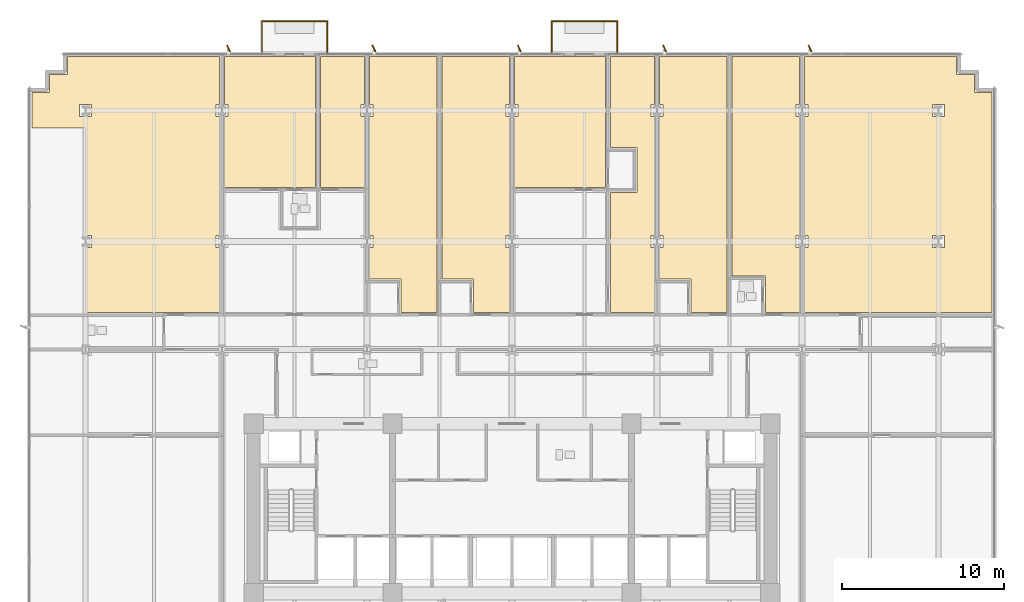
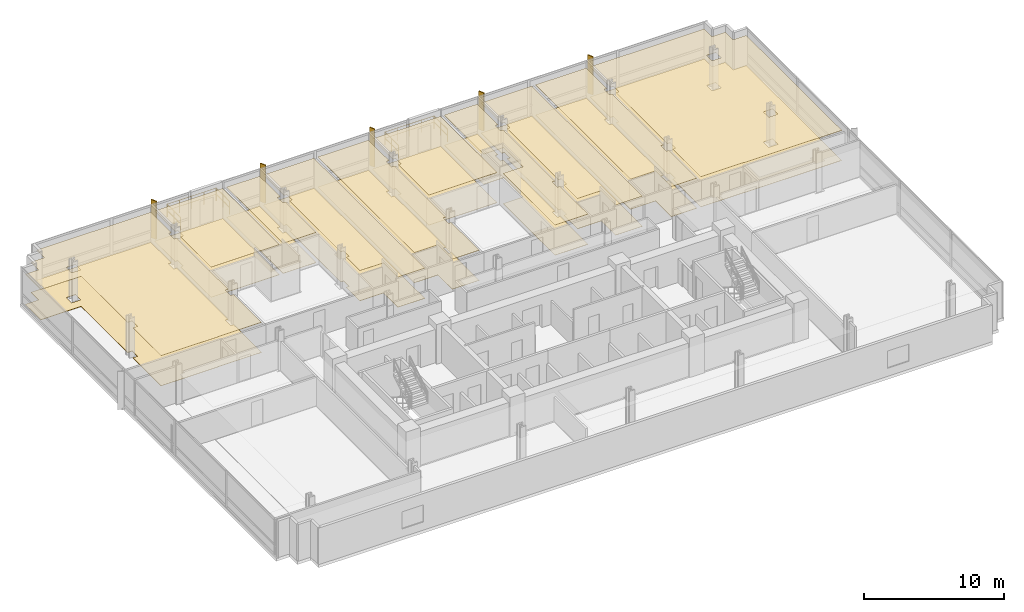
# One storey, part 14 of 15: 20 coverings, 6 railings, 5 shading devices.
"""IFC4 building model written with IfcOpenShell, lengths in metres."""

from ifc_helpers import new_model, si_unit, direction, frame, origin, origin_2d, place, context, subcontext, project, spatial, polyline, rectangle, circle, outline, extrude, material, layer, layer_set, type_object, element, save


model = new_model("IFC4")

# Units and contexts
model_context = context("Model", 3, precision=1e-05, world=origin(), true_north=direction((0.0, 1.0)))
body_context = subcontext(model_context, "Body", "Model", "MODEL_VIEW")
ifc_project = project(units=[si_unit("LENGTHUNIT", "METRE"), si_unit("AREAUNIT", "SQUARE_METRE"), si_unit("VOLUMEUNIT", "CUBIC_METRE"), si_unit("PLANEANGLEUNIT", "RADIAN"), si_unit("MASSUNIT", "GRAM", prefix="KILO")], contexts=[model_context])

# Site, building, storey
site_placement = place(None, origin())
site = spatial("IfcSite", under=ifc_project, at=site_placement, CompositionType="ELEMENT")
building_placement = place(site_placement, origin())
building = spatial("IfcBuilding", under=site, at=building_placement, Name="Solmavex Isthmus Hotel", CompositionType="ELEMENT")
storey_placement = place(building_placement, frame((0.0, 0.0, 64.35009765625)))
storey = spatial("IfcBuildingStorey", under=building, at=storey_placement, Name="L17", CompositionType="ELEMENT", Elevation=64.35009765625)

# Coverings
ifc_material_1 = material(Name="Gypsum plasterboard lining", Category="gypsum")
ifc_layer_1 = layer(ifc_material_1, 0.030029296875)
ifc_layer_set_1 = layer_set([ifc_layer_1], Name="Gypsum plasterboard lining")
covering_type_1 = type_object("IfcCoveringType", Name="COV-CEIL-GYP", PredefinedType="CEILING", material=ifc_layer_set_1)
covering_1_placement = place(storey_placement, frame((0.0, 0.0, 2.619873046875)))
element("IfcCovering", 1, at=covering_1_placement, inside=storey, type_object=covering_type_1, Name="Suspended Acoustic Ceiling L17-RM01", PredefinedType="CEILING", context=body_context, shape_type="SweptSolid", body=[
    extrude(outline(polyline([(-21.70703125, 4.385009765625), (-21.70703125, 4.405029296875), (-18.10693359375, 4.405029296875), (-18.10693359375, 8.407958984375), (-18.33203125, 8.407958984375), (-18.33203125, 9.16796875), (-18.10693359375, 9.16796875), (-18.10693359375, 16.52001953125), (-18.33203125, 16.52001953125), (-18.33203125, 17.280029296875), (-18.10693359375, 17.280029296875), (-18.10693359375, 20.22509765625), (-27.52490234375, 20.22509765625), (-27.52490234375, 19.125), (-28.625, 19.125), (-28.625, 18.02490234375), (-29.72509765625, 18.02490234375), (-29.72509765625, 15.800048828125), (-26.39990234375, 15.800048828125), (-26.39990234375, 9.16796875), (-26.02001953125, 9.16796875), (-26.02001953125, 8.407958984375), (-26.39990234375, 8.407958984375), (-26.39990234375, 4.385009765625), (-21.70703125, 4.385009765625)]), holes=[polyline([(-26.780029296875, 17.280029296875), (-26.02001953125, 17.280029296875), (-26.02001953125, 16.52001953125), (-26.780029296875, 16.52001953125), (-26.780029296875, 17.280029296875)])]), origin(), (0.0, 0.0, 1.0), 0.030029296875),
])
covering_2_placement = place(storey_placement, frame((0.0, 0.0, 2.619873046875)))
element("IfcCovering", 2, at=covering_2_placement, inside=storey, type_object=covering_type_1, Name="Suspended Acoustic Ceiling L17-TB02", PredefinedType="CEILING", context=body_context, shape_type="SweptSolid", body=[
    extrude(outline(polyline([(-17.797119140625, 17.280029296875), (-17.572021484375, 17.280029296875), (-17.572021484375, 16.52001953125), (-17.797119140625, 16.52001953125), (-17.797119140625, 12.14306640625), (-12.1689453125, 12.14306640625), (-12.1689453125, 20.22509765625), (-17.797119140625, 20.22509765625), (-17.797119140625, 17.280029296875)])), origin(), (0.0, 0.0, 1.0), 0.030029296875),
])
covering_3_placement = place(storey_placement, frame((0.0, 0.0, 2.619873046875)))
element("IfcCovering", 3, at=covering_3_placement, inside=storey, type_object=covering_type_1, Name="Suspended Acoustic Ceiling L17-TL02", PredefinedType="CEILING", context=body_context, shape_type="SweptSolid", body=[
    extrude(outline(polyline([(-9.131103515625, 16.52001953125), (-9.35595703125, 16.52001953125), (-9.35595703125, 17.280029296875), (-9.131103515625, 17.280029296875), (-9.131103515625, 20.22509765625), (-11.85888671875, 20.22509765625), (-11.85888671875, 12.14306640625), (-9.131103515625, 12.14306640625), (-9.131103515625, 16.52001953125)])), origin(), (0.0, 0.0, 1.0), 0.030029296875),
])
covering_4_placement = place(storey_placement, frame((0.0, 0.0, 2.619873046875)))
element("IfcCovering", 4, at=covering_4_placement, inside=storey, type_object=covering_type_1, Name="Suspended Acoustic Ceiling L17-RM03", PredefinedType="CEILING", context=body_context, shape_type="SweptSolid", body=[
    extrude(outline(polyline([(-8.821044921875, 9.16796875), (-8.595947265625, 9.16796875), (-8.595947265625, 8.407958984375), (-8.821044921875, 8.407958984375), (-8.821044921875, 6.455078125), (-6.87109375, 6.455078125), (-6.87109375, 4.405029296875), (-4.64306640625, 4.405029296875), (-4.64306640625, 20.22509765625), (-8.821044921875, 20.22509765625), (-8.821044921875, 17.280029296875), (-8.595947265625, 17.280029296875), (-8.595947265625, 16.52001953125), (-8.821044921875, 16.52001953125), (-8.821044921875, 9.16796875)])), origin(), (0.0, 0.0, 1.0), 0.030029296875),
])
covering_5_placement = place(storey_placement, frame((0.0, 0.0, 2.619873046875)))
element("IfcCovering", 5, at=covering_5_placement, inside=storey, type_object=covering_type_1, Name="Suspended Acoustic Ceiling L17-RM04", PredefinedType="CEILING", context=body_context, shape_type="SweptSolid", body=[
    extrude(outline(polyline([(-0.155029296875, 16.52001953125), (-0.3798828125, 16.52001953125), (-0.3798828125, 17.280029296875), (-0.155029296875, 17.280029296875), (-0.155029296875, 20.22509765625), (-4.3330078125, 20.22509765625), (-4.3330078125, 6.455078125), (-2.383056640625, 6.455078125), (-2.383056640625, 4.405029296875), (-0.155029296875, 4.405029296875), (-0.155029296875, 8.407958984375), (-0.3798828125, 8.407958984375), (-0.3798828125, 9.16796875), (-0.155029296875, 9.16796875), (-0.155029296875, 16.52001953125)])), origin(), (0.0, 0.0, 1.0), 0.030029296875),
])
covering_6_placement = place(storey_placement, frame((0.0, 0.0, 2.619873046875)))
element("IfcCovering", 6, at=covering_6_placement, inside=storey, type_object=covering_type_1, Name="Suspended Acoustic Ceiling L17-SL05-BD", PredefinedType="CEILING", context=body_context, shape_type="SweptSolid", body=[
    extrude(outline(polyline([(0.155029296875, 17.280029296875), (0.3798828125, 17.280029296875), (0.3798828125, 16.52001953125), (0.155029296875, 16.52001953125), (0.155029296875, 12.14306640625), (5.782958984375, 12.14306640625), (5.782958984375, 20.22509765625), (0.155029296875, 20.22509765625), (0.155029296875, 17.280029296875)])), origin(), (0.0, 0.0, 1.0), 0.030029296875),
])
covering_7_placement = place(storey_placement, frame((0.0, 0.0, 2.619873046875)))
element("IfcCovering", 7, at=covering_7_placement, inside=storey, type_object=covering_type_1, Name="Suspended Acoustic Ceiling L17-SV05", PredefinedType="CEILING", context=body_context, shape_type="SweptSolid", body=[
    extrude(outline(polyline([(8.821044921875, 16.52001953125), (8.595947265625, 16.52001953125), (8.595947265625, 17.280029296875), (8.821044921875, 17.280029296875), (8.821044921875, 20.22509765625), (6.093017578125, 20.22509765625), (6.093017578125, 14.593017578125), (7.73095703125, 14.593017578125), (7.73095703125, 11.8330078125), (6.093017578125, 11.8330078125), (6.093017578125, 4.405029296875), (8.821044921875, 4.405029296875), (8.821044921875, 8.407958984375), (8.595947265625, 8.407958984375), (8.595947265625, 9.16796875), (8.821044921875, 9.16796875), (8.821044921875, 16.52001953125)])), origin(), (0.0, 0.0, 1.0), 0.030029296875),
])
covering_8_placement = place(storey_placement, frame((0.0, 0.0, 2.619873046875)))
element("IfcCovering", 8, at=covering_8_placement, inside=storey, type_object=covering_type_1, Name="Suspended Acoustic Ceiling L17-RM06", PredefinedType="CEILING", context=body_context, shape_type="SweptSolid", body=[
    extrude(outline(polyline([(9.131103515625, 9.16796875), (9.35595703125, 9.16796875), (9.35595703125, 8.407958984375), (9.131103515625, 8.407958984375), (9.131103515625, 6.455078125), (11.0810546875, 6.455078125), (11.0810546875, 4.405029296875), (13.30908203125, 4.405029296875), (13.30908203125, 20.22509765625), (9.131103515625, 20.22509765625), (9.131103515625, 17.280029296875), (9.35595703125, 17.280029296875), (9.35595703125, 16.52001953125), (9.131103515625, 16.52001953125), (9.131103515625, 9.16796875)])), origin(), (0.0, 0.0, 1.0), 0.030029296875),
])
covering_9_placement = place(storey_placement, frame((0.0, 0.0, 2.619873046875)))
element("IfcCovering", 9, at=covering_9_placement, inside=storey, type_object=covering_type_1, Name="Suspended Acoustic Ceiling L17-RM07", PredefinedType="CEILING", context=body_context, shape_type="SweptSolid", body=[
    extrude(outline(polyline([(17.797119140625, 16.52001953125), (17.572021484375, 16.52001953125), (17.572021484375, 17.280029296875), (17.797119140625, 17.280029296875), (17.797119140625, 20.22509765625), (13.618896484375, 20.22509765625), (13.618896484375, 6.655029296875), (15.68359375, 6.655029296875), (15.68359375, 4.405029296875), (17.797119140625, 4.405029296875), (17.797119140625, 8.407958984375), (17.572021484375, 8.407958984375), (17.572021484375, 9.16796875), (17.797119140625, 9.16796875), (17.797119140625, 16.52001953125)])), origin(), (0.0, 0.0, 1.0), 0.030029296875),
])
covering_10_placement = place(storey_placement, frame((0.0, 0.0, 2.619873046875)))
element("IfcCovering", 10, at=covering_10_placement, inside=storey, type_object=covering_type_1, Name="Suspended Acoustic Ceiling L17-RM08", PredefinedType="CEILING", context=body_context, shape_type="SweptSolid", body=[
    extrude(outline(polyline([(18.10693359375, 9.16796875), (18.33203125, 9.16796875), (18.33203125, 8.407958984375), (18.10693359375, 8.407958984375), (18.10693359375, 4.405029296875), (21.70703125, 4.405029296875), (21.70703125, 4.385009765625), (29.72509765625, 4.385009765625), (29.72509765625, 18.02490234375), (28.625, 18.02490234375), (28.625, 19.125), (27.52490234375, 19.125), (27.52490234375, 20.22509765625), (18.10693359375, 20.22509765625), (18.10693359375, 17.280029296875), (18.33203125, 17.280029296875), (18.33203125, 16.52001953125), (18.10693359375, 16.52001953125), (18.10693359375, 9.16796875)]), holes=[polyline([(26.02001953125, 8.407958984375), (26.02001953125, 9.16796875), (26.780029296875, 9.16796875), (26.780029296875, 8.407958984375), (26.02001953125, 8.407958984375)]), polyline([(26.02001953125, 16.52001953125), (26.02001953125, 17.280029296875), (26.780029296875, 17.280029296875), (26.780029296875, 16.52001953125), (26.02001953125, 16.52001953125)])]), origin(), (0.0, 0.0, 1.0), 0.030029296875),
])
ifc_material_2 = material(Name="Travertine natural stone", Category="masonry")
ifc_layer_2 = layer(ifc_material_2, 0.02490234375)
ifc_layer_set_2 = layer_set([ifc_layer_2], Name="Travertine natural stone")
covering_type_2 = type_object("IfcCoveringType", Name="COV-FLOR-STN", PredefinedType="FLOORING", material=ifc_layer_set_2)
covering_11_placement = place(storey_placement, origin())
element("IfcCovering", 11, at=covering_11_placement, inside=storey, type_object=covering_type_2, Name="Stone and Timber Floor Finish L17-RM01", PredefinedType="FLOORING", context=body_context, shape_type="SweptSolid", body=[
    extrude(outline(polyline([(-21.70703125, 4.385009765625), (-21.70703125, 4.405029296875), (-18.10693359375, 4.405029296875), (-18.10693359375, 8.407958984375), (-18.33203125, 8.407958984375), (-18.33203125, 9.16796875), (-18.10693359375, 9.16796875), (-18.10693359375, 16.52001953125), (-18.33203125, 16.52001953125), (-18.33203125, 17.280029296875), (-18.10693359375, 17.280029296875), (-18.10693359375, 20.22509765625), (-27.52490234375, 20.22509765625), (-27.52490234375, 19.125), (-28.625, 19.125), (-28.625, 18.02490234375), (-29.72509765625, 18.02490234375), (-29.72509765625, 15.800048828125), (-26.39990234375, 15.800048828125), (-26.39990234375, 9.16796875), (-26.02001953125, 9.16796875), (-26.02001953125, 8.407958984375), (-26.39990234375, 8.407958984375), (-26.39990234375, 4.385009765625), (-21.70703125, 4.385009765625)]), holes=[polyline([(-26.780029296875, 17.280029296875), (-26.02001953125, 17.280029296875), (-26.02001953125, 16.52001953125), (-26.780029296875, 16.52001953125), (-26.780029296875, 17.280029296875)])]), origin(), (0.0, 0.0, 1.0), 0.02490234375),
])
covering_12_placement = place(storey_placement, origin())
element("IfcCovering", 12, at=covering_12_placement, inside=storey, type_object=covering_type_2, Name="Stone and Timber Floor Finish L17-TB02", PredefinedType="FLOORING", context=body_context, shape_type="SweptSolid", body=[
    extrude(outline(polyline([(-17.797119140625, 17.280029296875), (-17.572021484375, 17.280029296875), (-17.572021484375, 16.52001953125), (-17.797119140625, 16.52001953125), (-17.797119140625, 12.14306640625), (-12.1689453125, 12.14306640625), (-12.1689453125, 20.22509765625), (-17.797119140625, 20.22509765625), (-17.797119140625, 17.280029296875)])), origin(), (0.0, 0.0, 1.0), 0.02490234375),
])
covering_13_placement = place(storey_placement, origin())
element("IfcCovering", 13, at=covering_13_placement, inside=storey, type_object=covering_type_2, Name="Stone and Timber Floor Finish L17-TL02", PredefinedType="FLOORING", context=body_context, shape_type="SweptSolid", body=[
    extrude(outline(polyline([(-9.131103515625, 16.52001953125), (-9.35595703125, 16.52001953125), (-9.35595703125, 17.280029296875), (-9.131103515625, 17.280029296875), (-9.131103515625, 20.22509765625), (-11.85888671875, 20.22509765625), (-11.85888671875, 12.14306640625), (-9.131103515625, 12.14306640625), (-9.131103515625, 16.52001953125)])), origin(), (0.0, 0.0, 1.0), 0.02490234375),
])
covering_14_placement = place(storey_placement, origin())
element("IfcCovering", 14, at=covering_14_placement, inside=storey, type_object=covering_type_2, Name="Stone and Timber Floor Finish L17-RM03", PredefinedType="FLOORING", context=body_context, shape_type="SweptSolid", body=[
    extrude(outline(polyline([(-8.821044921875, 9.16796875), (-8.595947265625, 9.16796875), (-8.595947265625, 8.407958984375), (-8.821044921875, 8.407958984375), (-8.821044921875, 6.455078125), (-6.87109375, 6.455078125), (-6.87109375, 4.405029296875), (-4.64306640625, 4.405029296875), (-4.64306640625, 20.22509765625), (-8.821044921875, 20.22509765625), (-8.821044921875, 17.280029296875), (-8.595947265625, 17.280029296875), (-8.595947265625, 16.52001953125), (-8.821044921875, 16.52001953125), (-8.821044921875, 9.16796875)])), origin(), (0.0, 0.0, 1.0), 0.02490234375),
])
covering_15_placement = place(storey_placement, origin())
element("IfcCovering", 15, at=covering_15_placement, inside=storey, type_object=covering_type_2, Name="Stone and Timber Floor Finish L17-RM04", PredefinedType="FLOORING", context=body_context, shape_type="SweptSolid", body=[
    extrude(outline(polyline([(-0.155029296875, 16.52001953125), (-0.3798828125, 16.52001953125), (-0.3798828125, 17.280029296875), (-0.155029296875, 17.280029296875), (-0.155029296875, 20.22509765625), (-4.3330078125, 20.22509765625), (-4.3330078125, 6.455078125), (-2.383056640625, 6.455078125), (-2.383056640625, 4.405029296875), (-0.155029296875, 4.405029296875), (-0.155029296875, 8.407958984375), (-0.3798828125, 8.407958984375), (-0.3798828125, 9.16796875), (-0.155029296875, 9.16796875), (-0.155029296875, 16.52001953125)])), origin(), (0.0, 0.0, 1.0), 0.02490234375),
])
covering_16_placement = place(storey_placement, origin())
element("IfcCovering", 16, at=covering_16_placement, inside=storey, type_object=covering_type_2, Name="Stone and Timber Floor Finish L17-SL05-BD", PredefinedType="FLOORING", context=body_context, shape_type="SweptSolid", body=[
    extrude(outline(polyline([(0.155029296875, 17.280029296875), (0.3798828125, 17.280029296875), (0.3798828125, 16.52001953125), (0.155029296875, 16.52001953125), (0.155029296875, 12.14306640625), (5.782958984375, 12.14306640625), (5.782958984375, 20.22509765625), (0.155029296875, 20.22509765625), (0.155029296875, 17.280029296875)])), origin(), (0.0, 0.0, 1.0), 0.02490234375),
])
covering_17_placement = place(storey_placement, origin())
element("IfcCovering", 17, at=covering_17_placement, inside=storey, type_object=covering_type_2, Name="Stone and Timber Floor Finish L17-SV05", PredefinedType="FLOORING", context=body_context, shape_type="SweptSolid", body=[
    extrude(outline(polyline([(8.821044921875, 16.52001953125), (8.595947265625, 16.52001953125), (8.595947265625, 17.280029296875), (8.821044921875, 17.280029296875), (8.821044921875, 20.22509765625), (6.093017578125, 20.22509765625), (6.093017578125, 14.593017578125), (7.73095703125, 14.593017578125), (7.73095703125, 11.8330078125), (6.093017578125, 11.8330078125), (6.093017578125, 4.405029296875), (8.821044921875, 4.405029296875), (8.821044921875, 8.407958984375), (8.595947265625, 8.407958984375), (8.595947265625, 9.16796875), (8.821044921875, 9.16796875), (8.821044921875, 16.52001953125)])), origin(), (0.0, 0.0, 1.0), 0.02490234375),
])
covering_18_placement = place(storey_placement, origin())
element("IfcCovering", 18, at=covering_18_placement, inside=storey, type_object=covering_type_2, Name="Stone and Timber Floor Finish L17-RM06", PredefinedType="FLOORING", context=body_context, shape_type="SweptSolid", body=[
    extrude(outline(polyline([(9.131103515625, 9.16796875), (9.35595703125, 9.16796875), (9.35595703125, 8.407958984375), (9.131103515625, 8.407958984375), (9.131103515625, 6.455078125), (11.0810546875, 6.455078125), (11.0810546875, 4.405029296875), (13.30908203125, 4.405029296875), (13.30908203125, 20.22509765625), (9.131103515625, 20.22509765625), (9.131103515625, 17.280029296875), (9.35595703125, 17.280029296875), (9.35595703125, 16.52001953125), (9.131103515625, 16.52001953125), (9.131103515625, 9.16796875)])), origin(), (0.0, 0.0, 1.0), 0.02490234375),
])
covering_19_placement = place(storey_placement, origin())
element("IfcCovering", 19, at=covering_19_placement, inside=storey, type_object=covering_type_2, Name="Stone and Timber Floor Finish L17-RM07", PredefinedType="FLOORING", context=body_context, shape_type="SweptSolid", body=[
    extrude(outline(polyline([(17.797119140625, 16.52001953125), (17.572021484375, 16.52001953125), (17.572021484375, 17.280029296875), (17.797119140625, 17.280029296875), (17.797119140625, 20.22509765625), (13.618896484375, 20.22509765625), (13.618896484375, 6.655029296875), (15.68359375, 6.655029296875), (15.68359375, 4.405029296875), (17.797119140625, 4.405029296875), (17.797119140625, 8.407958984375), (17.572021484375, 8.407958984375), (17.572021484375, 9.16796875), (17.797119140625, 9.16796875), (17.797119140625, 16.52001953125)])), origin(), (0.0, 0.0, 1.0), 0.02490234375),
])
covering_20_placement = place(storey_placement, origin())
element("IfcCovering", 20, at=covering_20_placement, inside=storey, type_object=covering_type_2, Name="Stone and Timber Floor Finish L17-RM08", PredefinedType="FLOORING", context=body_context, shape_type="SweptSolid", body=[
    extrude(outline(polyline([(18.10693359375, 9.16796875), (18.33203125, 9.16796875), (18.33203125, 8.407958984375), (18.10693359375, 8.407958984375), (18.10693359375, 4.405029296875), (21.70703125, 4.405029296875), (21.70703125, 4.385009765625), (29.72509765625, 4.385009765625), (29.72509765625, 18.02490234375), (28.625, 18.02490234375), (28.625, 19.125), (27.52490234375, 19.125), (27.52490234375, 20.22509765625), (18.10693359375, 20.22509765625), (18.10693359375, 17.280029296875), (18.33203125, 17.280029296875), (18.33203125, 16.52001953125), (18.10693359375, 16.52001953125), (18.10693359375, 9.16796875)]), holes=[polyline([(26.02001953125, 8.407958984375), (26.02001953125, 9.16796875), (26.780029296875, 9.16796875), (26.780029296875, 8.407958984375), (26.02001953125, 8.407958984375)]), polyline([(26.02001953125, 16.52001953125), (26.02001953125, 17.280029296875), (26.780029296875, 17.280029296875), (26.780029296875, 16.52001953125), (26.02001953125, 16.52001953125)])]), origin(), (0.0, 0.0, 1.0), 0.02490234375),
])

# Railings
ifc_material_3 = material(Name="Clear low-E laminated glass", Category="glass")
ifc_layer_3 = layer(ifc_material_3, 0.070068359375)
ifc_layer_set_3 = layer_set([ifc_layer_3], Name="Clear low-E laminated glass")
railing_type = type_object("IfcRailingType", Name="RAIL-GUARD-1100", PredefinedType="BALUSTRADE", material=ifc_layer_set_3)
railing_1_placement = place(storey_placement, frame((-15.48388671875, 20.5, 0.0)))
element("IfcRailing", 21, at=railing_1_placement, inside=storey, type_object=railing_type, Name="Guardrail Balustrade L17-BAL1-01", PredefinedType="BALUSTRADE", context=body_context, shape_type="SweptSolid", body=[
    extrude(circle(Radius=0.02392578125, at=origin_2d()), frame((0.0, 0.0, 1.09619140625), z_axis=(0.0, 1.0, 0.0), x_axis=(-1.0, 0.0, 0.0)), (0.0, 0.0, 1.0), 1.919921875),
    extrude(circle(Radius=0.02392578125, at=origin_2d()), frame((0.0, 0.0, 0.56005859375), z_axis=(0.0, 1.0, 0.0), x_axis=(-1.0, 0.0, 0.0)), (0.0, 0.0, 1.0), 1.919921875),
    extrude(circle(Radius=0.02099609375, at=origin_2d()), origin(), (0.0, 0.0, 1.0), 1.072021484375),
    extrude(circle(Radius=0.02099609375, at=origin_2d()), frame((0.0, 0.9599609375, 0.0)), (0.0, 0.0, 1.0), 1.072021484375),
    extrude(circle(Radius=0.02099609375, at=origin_2d()), frame((0.0, 1.919921875, 0.0)), (0.0, 0.0, 1.0), 1.072021484375),
])
railing_2_placement = place(storey_placement, frame((-15.48388671875, 22.419921875, 0.0)))
element("IfcRailing", 22, at=railing_2_placement, inside=storey, type_object=railing_type, Name="Guardrail Balustrade L17-BAL1-02", PredefinedType="BALUSTRADE", context=body_context, shape_type="SweptSolid", body=[
    extrude(circle(Radius=0.02392578125, at=origin_2d()), frame((0.0, 0.0, 1.09619140625), z_axis=(1.0, 0.0, 0.0), x_axis=(0.0, 1.0, 0.0)), (0.0, 0.0, 1.0), 4.039794921875),
    extrude(circle(Radius=0.02392578125, at=origin_2d()), frame((0.0, 0.0, 0.56005859375), z_axis=(1.0, 0.0, 0.0), x_axis=(0.0, 1.0, 0.0)), (0.0, 0.0, 1.0), 4.039794921875),
    extrude(circle(Radius=0.02099609375, at=origin_2d()), origin(), (0.0, 0.0, 1.0), 1.072021484375),
    extrude(circle(Radius=0.02099609375, at=origin_2d()), frame((1.010009765625, 0.0, 0.0)), (0.0, 0.0, 1.0), 1.072021484375),
    extrude(circle(Radius=0.02099609375, at=origin_2d()), frame((2.02001953125, 0.0, 0.0)), (0.0, 0.0, 1.0), 1.072021484375),
    extrude(circle(Radius=0.02099609375, at=origin_2d()), frame((3.02978515625, 0.0, 0.0)), (0.0, 0.0, 1.0), 1.072021484375),
    extrude(circle(Radius=0.02099609375, at=origin_2d()), frame((4.039794921875, 0.0, 0.0)), (0.0, 0.0, 1.0), 1.072021484375),
])
railing_3_placement = place(storey_placement, frame((-11.444091796875, 22.419921875, 0.0)))
element("IfcRailing", 23, at=railing_3_placement, inside=storey, type_object=railing_type, Name="Guardrail Balustrade L17-BAL1-03", PredefinedType="BALUSTRADE", context=body_context, shape_type="SweptSolid", body=[
    extrude(circle(Radius=0.02392578125, at=origin_2d()), frame((0.0, 0.0, 1.09619140625), z_axis=(0.0, -1.0, 0.0), x_axis=(1.0, 0.0, 0.0)), (0.0, 0.0, 1.0), 1.919921875),
    extrude(circle(Radius=0.02392578125, at=origin_2d()), frame((0.0, 0.0, 0.56005859375), z_axis=(0.0, -1.0, 0.0), x_axis=(1.0, 0.0, 0.0)), (0.0, 0.0, 1.0), 1.919921875),
    extrude(circle(Radius=0.02099609375, at=origin_2d()), origin(), (0.0, 0.0, 1.0), 1.072021484375),
    extrude(circle(Radius=0.02099609375, at=origin_2d()), frame((0.0, -0.9599609375, 0.0)), (0.0, 0.0, 1.0), 1.072021484375),
    extrude(circle(Radius=0.02099609375, at=origin_2d()), frame((0.0, -1.919921875, 0.0)), (0.0, 0.0, 1.0), 1.072021484375),
])
railing_4_placement = place(storey_placement, frame((2.468017578125, 20.5, 0.0)))
element("IfcRailing", 24, at=railing_4_placement, inside=storey, type_object=railing_type, Name="Guardrail Balustrade L17-BAL2-01", PredefinedType="BALUSTRADE", context=body_context, shape_type="SweptSolid", body=[
    extrude(circle(Radius=0.02392578125, at=origin_2d()), frame((0.0, 0.0, 1.09619140625), z_axis=(0.0, 1.0, 0.0), x_axis=(-1.0, 0.0, 0.0)), (0.0, 0.0, 1.0), 1.919921875),
    extrude(circle(Radius=0.02392578125, at=origin_2d()), frame((0.0, 0.0, 0.56005859375), z_axis=(0.0, 1.0, 0.0), x_axis=(-1.0, 0.0, 0.0)), (0.0, 0.0, 1.0), 1.919921875),
    extrude(circle(Radius=0.02099609375, at=origin_2d()), origin(), (0.0, 0.0, 1.0), 1.072021484375),
    extrude(circle(Radius=0.02099609375, at=origin_2d()), frame((0.0, 0.9599609375, 0.0)), (0.0, 0.0, 1.0), 1.072021484375),
    extrude(circle(Radius=0.02099609375, at=origin_2d()), frame((0.0, 1.919921875, 0.0)), (0.0, 0.0, 1.0), 1.072021484375),
])
railing_5_placement = place(storey_placement, frame((2.468017578125, 22.419921875, 0.0)))
element("IfcRailing", 25, at=railing_5_placement, inside=storey, type_object=railing_type, Name="Guardrail Balustrade L17-BAL2-02", PredefinedType="BALUSTRADE", context=body_context, shape_type="SweptSolid", body=[
    extrude(circle(Radius=0.02392578125, at=origin_2d()), frame((0.0, 0.0, 1.09619140625), z_axis=(1.0, 0.0, 0.0), x_axis=(0.0, 1.0, 0.0)), (0.0, 0.0, 1.0), 4.0400390625),
    extrude(circle(Radius=0.02392578125, at=origin_2d()), frame((0.0, 0.0, 0.56005859375), z_axis=(1.0, 0.0, 0.0), x_axis=(0.0, 1.0, 0.0)), (0.0, 0.0, 1.0), 4.0400390625),
    extrude(circle(Radius=0.02099609375, at=origin_2d()), origin(), (0.0, 0.0, 1.0), 1.072021484375),
    extrude(circle(Radius=0.02099609375, at=origin_2d()), frame((1.010009765625, 0.0, 0.0)), (0.0, 0.0, 1.0), 1.072021484375),
    extrude(circle(Radius=0.02099609375, at=origin_2d()), frame((2.02001953125, 0.0, 0.0)), (0.0, 0.0, 1.0), 1.072021484375),
    extrude(circle(Radius=0.02099609375, at=origin_2d()), frame((3.030029296875, 0.0, 0.0)), (0.0, 0.0, 1.0), 1.072021484375),
    extrude(circle(Radius=0.02099609375, at=origin_2d()), frame((4.0400390625, 0.0, 0.0)), (0.0, 0.0, 1.0), 1.072021484375),
])
railing_6_placement = place(storey_placement, frame((6.508056640625, 22.419921875, 0.0)))
element("IfcRailing", 26, at=railing_6_placement, inside=storey, type_object=railing_type, Name="Guardrail Balustrade L17-BAL2-03", PredefinedType="BALUSTRADE", context=body_context, shape_type="SweptSolid", body=[
    extrude(circle(Radius=0.02392578125, at=origin_2d()), frame((0.0, 0.0, 1.09619140625), z_axis=(0.0, -1.0, 0.0), x_axis=(1.0, 0.0, 0.0)), (0.0, 0.0, 1.0), 1.919921875),
    extrude(circle(Radius=0.02392578125, at=origin_2d()), frame((0.0, 0.0, 0.56005859375), z_axis=(0.0, -1.0, 0.0), x_axis=(1.0, 0.0, 0.0)), (0.0, 0.0, 1.0), 1.919921875),
    extrude(circle(Radius=0.02099609375, at=origin_2d()), origin(), (0.0, 0.0, 1.0), 1.072021484375),
    extrude(circle(Radius=0.02099609375, at=origin_2d()), frame((0.0, -0.9599609375, 0.0)), (0.0, 0.0, 1.0), 1.072021484375),
    extrude(circle(Radius=0.02099609375, at=origin_2d()), frame((0.0, -1.919921875, 0.0)), (0.0, 0.0, 1.0), 1.072021484375),
])

# Shading devices
ifc_material_4 = material(Name="Aluminium alloy 6063-T6", Category="aluminium")
shading_device_type = type_object("IfcShadingDeviceType", Name="SHD-FIN-BRONZE", PredefinedType="USERDEFINED", material=ifc_material_4)
for number, where, z_axis, x_axis, name in (
    (27, (-17.550048828125, 20.739990234375, -0.14013671875), (0.0, 0.0, 1.0), (-0.438371146789, 0.898794046299, 0.0), "Anodised Aluminium Solar Fin L17-N1"),
    (28, (-8.550048828125, 20.739990234375, -0.14013671875), (0.0, 0.0, 1.0), (-0.438371146789, 0.898794046299, 0.0), "Anodised Aluminium Solar Fin L17-N2"),
    (29, (0.449951171875, 20.739990234375, -0.14013671875), (0.0, 0.0, 1.0), (-0.438371146789, 0.898794046299, 0.0), "Anodised Aluminium Solar Fin L17-N3"),
    (30, (9.449951171875, 20.739990234375, -0.14013671875), (0.0, 0.0, 1.0), (-0.438371146789, 0.898794046299, 0.0), "Anodised Aluminium Solar Fin L17-N4"),
    (31, (18.449951171875, 20.739990234375, -0.14013671875), (0.0, 0.0, 1.0), (-0.438371146789, 0.898794046299, 0.0), "Anodised Aluminium Solar Fin L17-N5"),
):
    element("IfcShadingDevice", number, at=place(storey_placement, frame(where, z_axis=z_axis, x_axis=x_axis)), inside=storey, type_object=shading_device_type, Name=name, ObjectType="SOLAR_FIN", PredefinedType="USERDEFINED", context=body_context, shape_type="SweptSolid", body=[
        extrude(rectangle(XDim=0.449951171875, YDim=0.080078125, at=origin_2d()), origin(), (0.0, 0.0, 1.0), 3.330078125),
    ])

save(model, "model.ifc")
